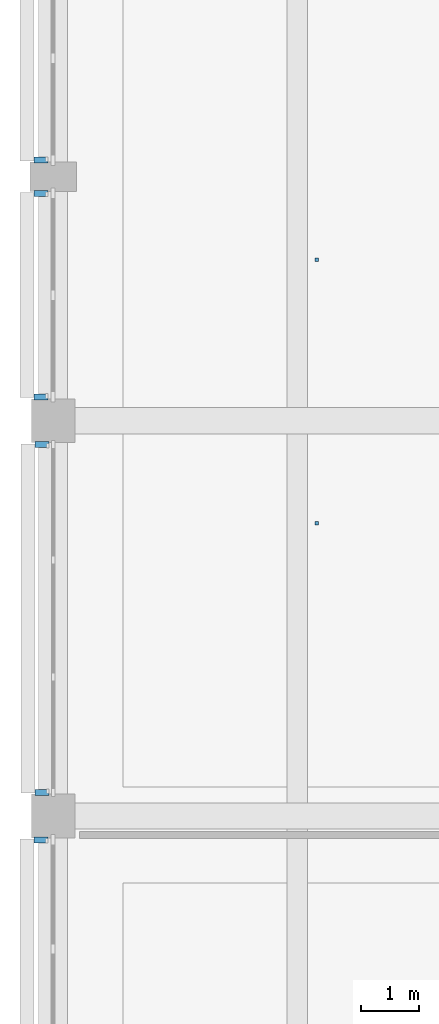
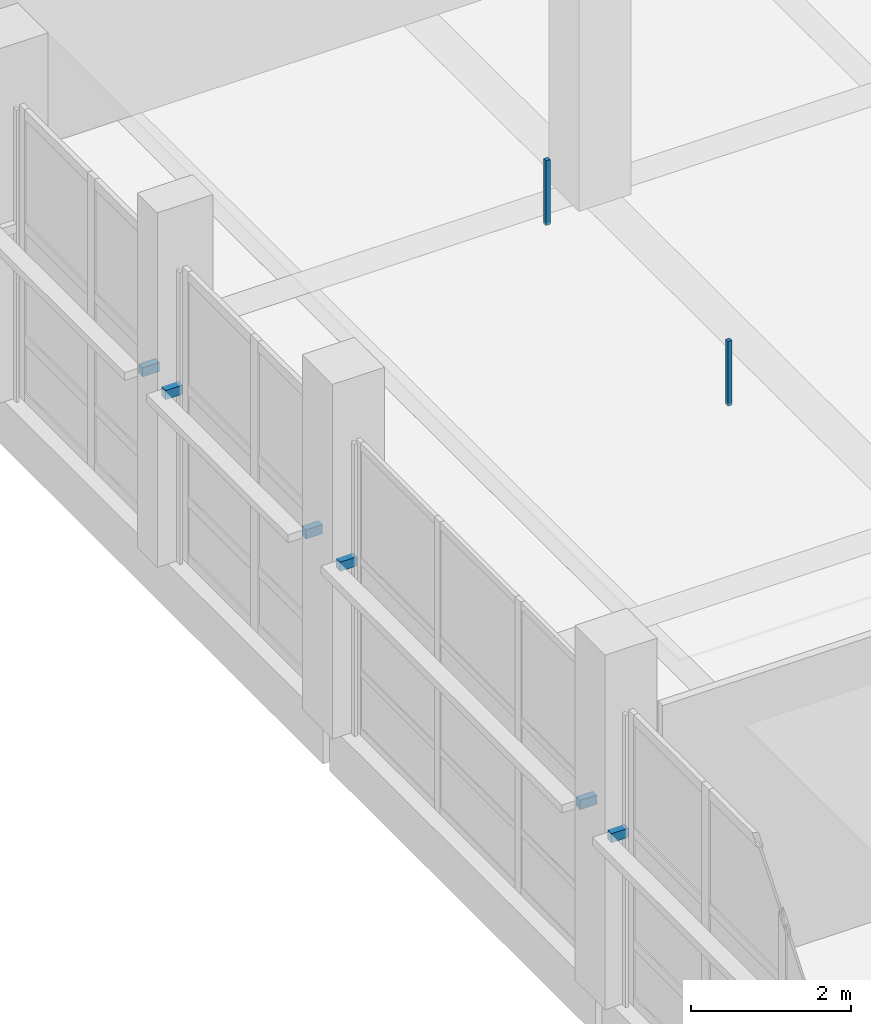
# One storey, part 77 of 140: 8 discrete accessories.
"""IFC4 building model written with IfcOpenShell, lengths in metres."""

from ifc_helpers import new_model, si_unit, direction, frame, origin, origin_2d, place, context, subcontext, project, spatial, rectangle, extrude, material, type_object, element, save


model = new_model("IFC4")

# Units and contexts
model_context = context("Model", 3, precision=1e-05, world=origin(), true_north=direction((0.0, 1.0)))
body_context = subcontext(model_context, "Body", "Model", "MODEL_VIEW")
ifc_project = project(units=[si_unit("LENGTHUNIT", "METRE"), si_unit("AREAUNIT", "SQUARE_METRE"), si_unit("VOLUMEUNIT", "CUBIC_METRE"), si_unit("PLANEANGLEUNIT", "RADIAN"), si_unit("MASSUNIT", "GRAM", prefix="KILO")], contexts=[model_context])

# Site, building, storey
site_placement = place(None, origin())
site = spatial("IfcSite", under=ifc_project, at=site_placement, CompositionType="ELEMENT")
building_placement = place(site_placement, origin())
building = spatial("IfcBuilding", under=site, at=building_placement, Name="Telukmera Botanical Conservatory", CompositionType="ELEMENT")
storey_placement = place(building_placement, origin())
storey = spatial("IfcBuildingStorey", under=building, at=storey_placement, Name="L00", CompositionType="ELEMENT", Elevation=0.0)

# Discrete accessories
ifc_material = material(Name="Steel S355", Category="steel")
discrete_accessory_type_1 = type_object("IfcDiscreteAccessoryType", Name="ACC-CEIL-HGR", PredefinedType="BRACKET", material=ifc_material)
for number, where, z_axis, x_axis, name in (
    (1, (12.93408203125, 47.83740234375, 4.2197265625), (0.0, 0.0, 1.0), (1.0, 0.0, 0.0), "L00 Suspended Ceiling Hanger Rod 011-1"),
    (2, (12.93408203125, 52.375, 4.2197265625), (0.0, 0.0, 1.0), (1.0, 0.0, 0.0), "L00 Suspended Ceiling Hanger Rod 011-2"),
):
    element("IfcDiscreteAccessory", number, at=place(storey_placement, frame(where, z_axis=z_axis, x_axis=x_axis)), inside=storey, type_object=discrete_accessory_type_1, Name=name, PredefinedType="BRACKET", context=body_context, shape_type="SweptSolid", body=[
        extrude(rectangle(XDim=0.06005859375, YDim=0.06005859375, at=origin_2d()), origin(), (0.0, 0.0, 1.0), 0.985107421875),
    ])
discrete_accessory_type_2 = type_object("IfcDiscreteAccessoryType", Name="Structural Steel Facade Outrigger Fin Bracket", PredefinedType="BRACKET", material=ifc_material)
for number, where, z_axis, x_axis, name in (
    (3, (8.18994140625, 42.387939453125, 2.580078125), (0.0, 0.0, 1.0), (0.0, 1.0, 0.0), "Facade Outrigger Bracket V3:L00:W3 B"),
    (4, (8.2099609375, 43.20703125, 2.580078125), (0.0, 0.0, 1.0), (0.0, 1.0, 0.0), "Facade Outrigger Bracket V3:L00:W4 A"),
    (5, (8.2099609375, 49.193115234375, 2.580078125), (0.0, 0.0, 1.0), (0.0, 1.0, 0.0), "Facade Outrigger Bracket V3:L00:W4 B"),
    (6, (8.18994140625, 50.011962890625, 2.580078125), (0.0, 0.0, 1.0), (0.0, 1.0, 0.0), "Facade Outrigger Bracket V3:L00:W5A A"),
    (7, (8.18994140625, 53.512939453125, 2.580078125), (0.0, 0.0, 1.0), (0.0, 1.0, 0.0), "Facade Outrigger Bracket V3:L00:W5A B"),
    (8, (8.18994140625, 54.0869140625, 2.580078125), (0.0, 0.0, 1.0), (0.0, 1.0, 0.0), "Facade Outrigger Bracket V3:L00:W5B A"),
):
    element("IfcDiscreteAccessory", number, at=place(storey_placement, frame(where, z_axis=z_axis, x_axis=x_axis)), inside=storey, type_object=discrete_accessory_type_2, Name=name, PredefinedType="BRACKET", context=body_context, shape_type="SweptSolid", body=[
        extrude(rectangle(XDim=0.10009765625, YDim=0.239990234375, at=origin_2d()), origin(), (0.0, 0.0, 1.0), 0.139892578125),
    ])

save(model, "model.ifc")
